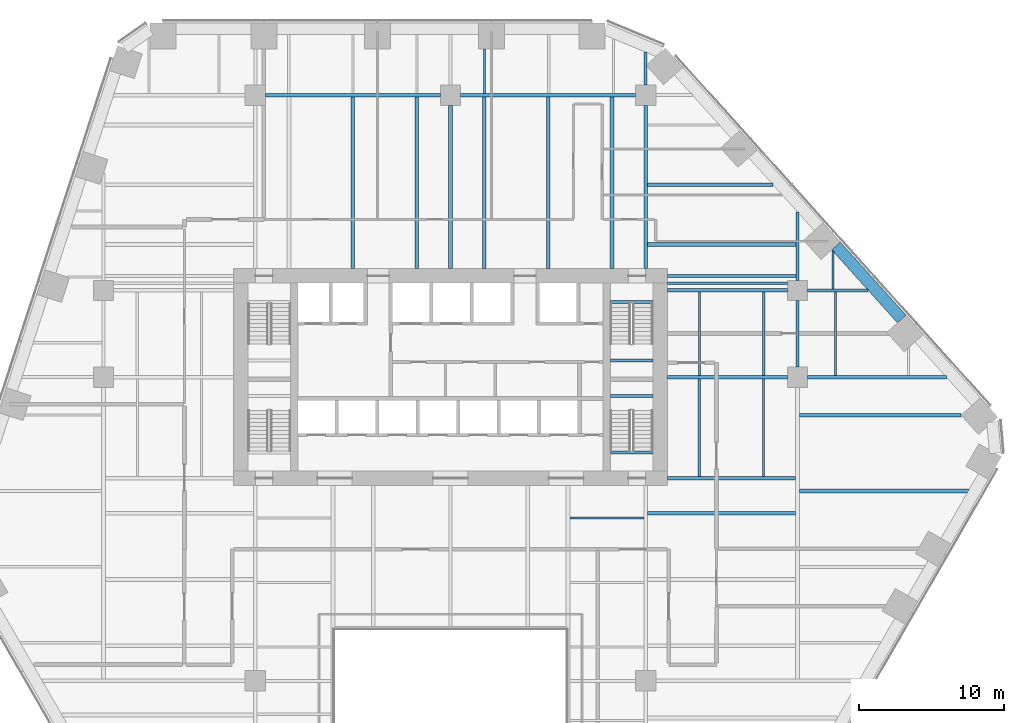
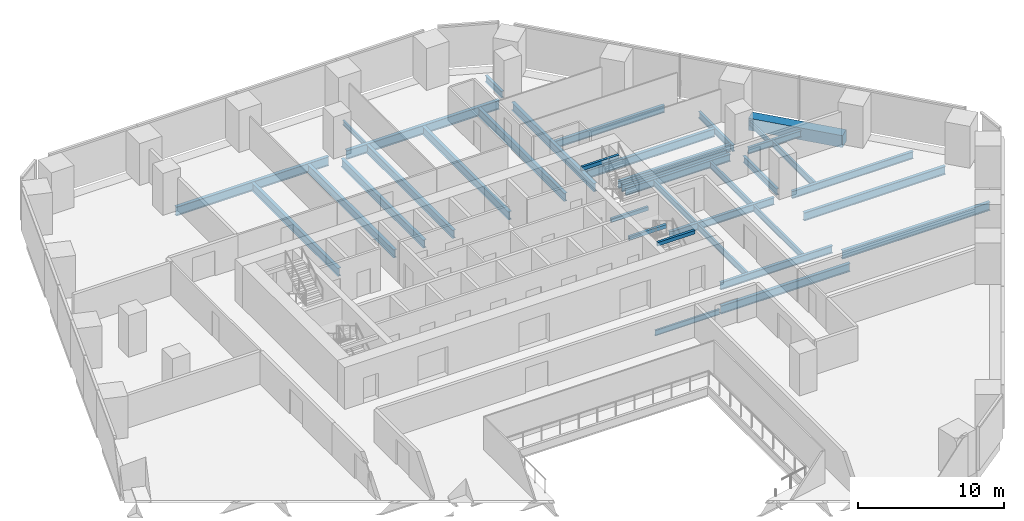
# One storey, part 9 of 20: 37 beams.
"""IFC4 building model written with IfcOpenShell, lengths in metres."""

from ifc_helpers import new_model, si_unit, direction, frame, origin, origin_2d, place, context, subcontext, project, spatial, rectangle, i_section, extrude, material, material_profile, profile_set, type_object, element, save


model = new_model("IFC4")

# Units and contexts
model_context = context("Model", 3, precision=1e-05, world=origin(), true_north=direction((0.0, 1.0)))
body_context = subcontext(model_context, "Body", "Model", "MODEL_VIEW")
ifc_project = project(units=[si_unit("LENGTHUNIT", "METRE"), si_unit("AREAUNIT", "SQUARE_METRE"), si_unit("VOLUMEUNIT", "CUBIC_METRE"), si_unit("PLANEANGLEUNIT", "RADIAN"), si_unit("MASSUNIT", "GRAM", prefix="KILO")], contexts=[model_context])

# Site, building, storey
site_placement = place(None, origin())
site = spatial("IfcSite", under=ifc_project, at=site_placement, CompositionType="ELEMENT")
building_placement = place(site_placement, origin())
building = spatial("IfcBuilding", under=site, at=building_placement, Name="Isthmus Gate Tower", CompositionType="ELEMENT")
storey_placement = place(building_placement, frame((0.0, 0.0, 43.300048828125)))
storey = spatial("IfcBuildingStorey", under=building, at=storey_placement, Name="L08", CompositionType="ELEMENT", Elevation=43.300048828125)

# Beams
ifc_material_1 = material(Name="Concrete f'c 70 MPa", Category="concrete")
ifc_material_profile_1 = material_profile(ifc_material_1, rectangle(XDim=0.800048828125, YDim=1.0, at=origin_2d()), Name="RC 800X1000")
ifc_profile_set_1 = profile_set([ifc_material_profile_1], Name="Concrete f'c 70 MPa")
beam_type_1 = type_object("IfcBeamType", Name="RC SPANDREL 800 X 1000", PredefinedType="SPANDREL", material=ifc_profile_set_1)
beam_1_placement = place(storey_placement, frame((26.664794921875, 16.566162109375, -0.5), z_axis=(0.669117690519, -0.743156454748, 0.0), x_axis=(0.743156454748, 0.669117690519, 0.0)))
element("IfcBeam", 1, at=beam_1_placement, inside=storey, type_object=beam_type_1, Name="str-spandrel-L08-03", PredefinedType="SPANDREL", context=body_context, shape_type="SweptSolid", body=[
    extrude(rectangle(XDim=0.800048828125, YDim=1.0, at=origin_2d()), origin(), (0.0, 0.0, 1.0), 6.78955078125),
])
ifc_material_2 = material(Name="Concrete f'c 40 MPa", Category="concrete")
ifc_material_profile_2 = material_profile(ifc_material_2, rectangle(XDim=0.199951171875, YDim=0.300048828125, at=origin_2d()), Name="STAIR LANDING BEAM RC 200 X 300")
ifc_profile_set_2 = profile_set([ifc_material_profile_2], Name="Concrete f'c 40 MPa")
beam_type_2 = type_object("IfcBeamType", Name="STAIR LANDING BEAM RC 200 X 300", PredefinedType="BEAM", material=ifc_profile_set_2)
for number, where, z_axis, x_axis, name in (
    (2, (11.050048828125, 8.64990234375, 1.474853515625), (1.0, 0.0, 0.0), (0.0, 1.0, 0.0), "L08 ST2 landing beam 1"),
    (3, (11.050048828125, 12.7001953125, 3.349853515625), (1.0, 0.0, 0.0), (0.0, 1.0, 0.0), "L08 ST2 floor-edge seat beam"),
    (4, (11.050048828125, 6.199951171875, 1.474853515625), (1.0, 0.0, 0.0), (0.0, 1.0, 0.0), "L08 ST8 landing beam 1"),
    (5, (11.050048828125, 2.2998046875, 3.349853515625), (1.0, 0.0, 0.0), (0.0, 1.0, 0.0), "L08 ST8 floor-edge seat beam"),
):
    element("IfcBeam", number, at=place(storey_placement, frame(where, z_axis=z_axis, x_axis=x_axis)), inside=storey, type_object=beam_type_2, Name=name, PredefinedType="BEAM", context=body_context, shape_type="SweptSolid", body=[
        extrude(rectangle(XDim=0.199951171875, YDim=0.300048828125, at=origin_2d()), origin(), (0.0, 0.0, 1.0), 2.949951171875),
    ])
ifc_material_3 = material(Name="Structural steel ASTM A992 Gr 50", Category="steel")
ifc_material_profile_3 = material_profile(ifc_material_3, i_section(OverallWidth=0.1396484375, OverallDepth=0.4033203125, WebThickness=0.00634765625, FlangeThickness=0.010986328125, at=origin_2d()), Name="W16X31")
ifc_profile_set_3 = profile_set([ifc_material_profile_3], Name="Structural steel ASTM A992 Gr 50")
beam_type_3 = type_object("IfcBeamType", Name="STEEL FLOOR BEAM W16X31", PredefinedType="JOIST", material=ifc_profile_set_3)
beam_2_placement = place(storey_placement, frame((2.33740234375, 27.1318359375, -0.3515625), z_axis=(0.0, 1.0, 0.0), x_axis=(-1.0, 0.0, 0.0)))
element("IfcBeam", 6, at=beam_2_placement, inside=storey, type_object=beam_type_3, Name="str-beam-L08-19-00", PredefinedType="JOIST", context=body_context, shape_type="SweptSolid", body=[
    extrude(i_section(OverallWidth=0.1396484375, OverallDepth=0.4033203125, WebThickness=0.00634765625, FlangeThickness=0.010986328125, at=origin_2d()), origin(), (0.0, 0.0, 1.0), 3.068115234375),
])
beam_3_placement = place(storey_placement, frame((26.448974609375, 13.604736328125, -0.3515625), z_axis=(0.0, 1.0, 0.0), x_axis=(-1.0, 0.0, 0.0)))
element("IfcBeam", 7, at=beam_3_placement, inside=storey, type_object=beam_type_3, Name="str-beam-L08-32-00", PredefinedType="JOIST", context=body_context, shape_type="SweptSolid", body=[
    extrude(i_section(OverallWidth=0.1396484375, OverallDepth=0.4033203125, WebThickness=0.00634765625, FlangeThickness=0.010986328125, at=origin_2d()), origin(), (0.0, 0.0, 1.0), 2.603515625),
])
ifc_material_4 = material(Name="Structural steel ASTM A992 Gr 50", Category="steel")
ifc_material_profile_4 = material_profile(ifc_material_4, i_section(OverallWidth=0.15234375, OverallDepth=0.45068359375, WebThickness=0.0078125, FlangeThickness=0.010986328125, at=origin_2d()), Name="W18X35")
ifc_profile_set_4 = profile_set([ifc_material_profile_4], Name="Structural steel ASTM A992 Gr 50")
beam_type_4 = type_object("IfcBeamType", Name="STEEL FLOOR BEAM W18X35", PredefinedType="JOIST", material=ifc_profile_set_4)
beam_4_placement = place(storey_placement, frame((8.263427734375, -2.232421875, -0.37548828125), z_axis=(1.0, 0.0, 0.0), x_axis=(0.0, 1.0, 0.0)))
element("IfcBeam", 8, at=beam_4_placement, inside=storey, type_object=beam_type_4, Name="str-beam-L08-23-02", PredefinedType="JOIST", context=body_context, shape_type="SweptSolid", body=[
    extrude(i_section(OverallWidth=0.15234375, OverallDepth=0.45068359375, WebThickness=0.0078125, FlangeThickness=0.010986328125, at=origin_2d()), origin(), (0.0, 0.0, 1.0), 5.104736328125),
])
ifc_material_5 = material(Name="Structural steel ASTM A992 Gr 50", Category="steel")
ifc_material_profile_5 = material_profile(ifc_material_5, i_section(OverallWidth=0.1650390625, OverallDepth=0.52392578125, WebThickness=0.009521484375, FlangeThickness=0.010986328125, at=origin_2d()), Name="W21X44")
ifc_profile_set_5 = profile_set([ifc_material_profile_5], Name="Structural steel ASTM A992 Gr 50")
beam_type_5 = type_object("IfcBeamType", Name="STEEL FLOOR BEAM W21X44", PredefinedType="JOIST", material=ifc_profile_set_5)
for number, where, z_axis, x_axis, name in (
    (9, (17.223876953125, 7.6142578125, -0.412109375), (0.0, 1.0, 0.0), (-1.0, 0.0, 0.0), "str-beam-L08-30-00"),
    (10, (21.67138671875, 7.6142578125, -0.412109375), (0.0, 1.0, 0.0), (-1.0, 0.0, 0.0), "str-beam-L08-30-01"),
):
    element("IfcBeam", number, at=place(storey_placement, frame(where, z_axis=z_axis, x_axis=x_axis)), inside=storey, type_object=beam_type_5, Name=name, PredefinedType="JOIST", context=body_context, shape_type="SweptSolid", body=[
        extrude(i_section(OverallWidth=0.1650390625, OverallDepth=0.52392578125, WebThickness=0.009521484375, FlangeThickness=0.010986328125, at=origin_2d()), origin(), (0.0, 0.0, 1.0), 5.771484375),
    ])
for number, where, z_axis, x_axis, name in (
    (11, (17.216552734375, 0.6142578125, -0.412109375), (0.0, 1.0, 0.0), (-1.0, 0.0, 0.0), "str-beam-L08-31-00"),
    (12, (21.64990234375, 0.6142578125, -0.412109375), (0.0, 1.0, 0.0), (-1.0, 0.0, 0.0), "str-beam-L08-31-01"),
):
    element("IfcBeam", number, at=place(storey_placement, frame(where, z_axis=z_axis, x_axis=x_axis)), inside=storey, type_object=beam_type_5, Name=name, PredefinedType="JOIST", context=body_context, shape_type="SweptSolid", body=[
        extrude(i_section(OverallWidth=0.1650390625, OverallDepth=0.52392578125, WebThickness=0.009521484375, FlangeThickness=0.010986328125, at=origin_2d()), origin(), (0.0, 0.0, 1.0), 6.771484375),
    ])
beam_5_placement = place(storey_placement, frame((26.625244140625, 7.6142578125, -0.412109375), z_axis=(0.0, 1.0, 0.0), x_axis=(-1.0, 0.0, 0.0)))
element("IfcBeam", 13, at=beam_5_placement, inside=storey, type_object=beam_type_5, Name="str-beam-L08-33-00", PredefinedType="JOIST", context=body_context, shape_type="SweptSolid", body=[
    extrude(i_section(OverallWidth=0.1650390625, OverallDepth=0.52392578125, WebThickness=0.009521484375, FlangeThickness=0.010986328125, at=origin_2d()), origin(), (0.0, 0.0, 1.0), 5.781005859375),
])
ifc_material_6 = material(Name="Structural steel ASTM A992 Gr 50", Category="steel")
ifc_material_profile_6 = material_profile(ifc_material_6, i_section(OverallWidth=0.177734375, OverallDepth=0.60009765625, WebThickness=0.009521484375, FlangeThickness=0.0126953125, at=origin_2d()), Name="W24X55")
ifc_profile_set_6 = profile_set([ifc_material_profile_6], Name="Structural steel ASTM A992 Gr 50")
beam_type_6 = type_object("IfcBeamType", Name="STEEL FLOOR BEAM W24X55", PredefinedType="JOIST", material=ifc_profile_set_6)
beam_6_placement = place(storey_placement, frame((15.0, 14.0, -0.4501953125), z_axis=(1.0, 0.0, 0.0), x_axis=(0.0, 1.0, 0.0)))
element("IfcBeam", 14, at=beam_6_placement, inside=storey, type_object=beam_type_6, Name="str-beam-L08-29-00", PredefinedType="JOIST", context=body_context, shape_type="SweptSolid", body=[
    extrude(i_section(OverallWidth=0.177734375, OverallDepth=0.60009765625, WebThickness=0.009521484375, FlangeThickness=0.0126953125, at=origin_2d()), origin(), (0.0, 0.0, 1.0), 8.300048828125),
])
ifc_material_7 = material(Name="Structural steel ASTM A992 Gr 50", Category="steel")
ifc_material_profile_7 = material_profile(ifc_material_7, i_section(OverallWidth=0.228515625, OverallDepth=0.603271484375, WebThickness=0.010986328125, FlangeThickness=0.014404296875, at=origin_2d()), Name="W24X68")
ifc_profile_set_7 = profile_set([ifc_material_profile_7], Name="Structural steel ASTM A992 Gr 50")
beam_type_7 = type_object("IfcBeamType", Name="STEEL FLOOR BEAM W24X68", PredefinedType="JOIST", material=ifc_profile_set_7)
beam_7_placement = place(storey_placement, frame((13.626953125, 20.80712890625, -0.45166015625), z_axis=(1.0, 0.0, 0.0), x_axis=(0.0, 1.0, 0.0)))
element("IfcBeam", 15, at=beam_7_placement, inside=storey, type_object=beam_type_7, Name="str-beam-L08-26-01", PredefinedType="JOIST", context=body_context, shape_type="SweptSolid", body=[
    extrude(i_section(OverallWidth=0.228515625, OverallDepth=0.603271484375, WebThickness=0.010986328125, FlangeThickness=0.014404296875, at=origin_2d()), origin(), (0.0, 0.0, 1.0), 8.680908203125),
])
ifc_material_8 = material(Name="Structural steel ASTM A992 Gr 50", Category="steel")
ifc_material_profile_8 = material_profile(ifc_material_8, i_section(OverallWidth=0.25390625, OverallDepth=0.679443359375, WebThickness=0.010986328125, FlangeThickness=0.015869140625, at=origin_2d()), Name="W27X84")
ifc_profile_set_8 = profile_set([ifc_material_profile_8], Name="Structural steel ASTM A992 Gr 50")
beam_type_8 = type_object("IfcBeamType", Name="STEEL FLOOR BEAM W27X84", PredefinedType="JOIST", material=ifc_profile_set_8)
for number, where, z_axis, x_axis, name in (
    (16, (-6.75, 15.0, -0.48974609375), (0.0, 1.0, 0.0), (-1.0, 0.0, 0.0), "str-beam-L08-13-01"),
    (17, (-2.334716796875, 15.0, -0.48974609375), (0.0, 1.0, 0.0), (-1.0, 0.0, 0.0), "str-beam-L08-13-02"),
    (18, (2.334716796875, 15.0, -0.48974609375), (0.0, 1.0, 0.0), (-1.0, 0.0, 0.0), "str-beam-L08-20-00"),
    (19, (6.75, 15.0, -0.48974609375), (0.0, 1.0, 0.0), (-1.0, 0.0, 0.0), "str-beam-L08-20-01"),
    (20, (11.165283203125, 15.0, -0.48974609375), (0.0, 1.0, 0.0), (-1.0, 0.0, 0.0), "str-beam-L08-20-02"),
):
    element("IfcBeam", number, at=place(storey_placement, frame(where, z_axis=z_axis, x_axis=x_axis)), inside=storey, type_object=beam_type_8, Name=name, PredefinedType="JOIST", context=body_context, shape_type="SweptSolid", body=[
        extrude(i_section(OverallWidth=0.25390625, OverallDepth=0.679443359375, WebThickness=0.010986328125, FlangeThickness=0.015869140625, at=origin_2d()), origin(), (0.0, 0.0, 1.0), 11.8681640625),
    ])
beam_8_placement = place(storey_placement, frame((13.626953125, 16.678466796875, -0.48974609375), z_axis=(1.0, 0.0, 0.0), x_axis=(0.0, 1.0, 0.0)))
element("IfcBeam", 21, at=beam_8_placement, inside=storey, type_object=beam_type_8, Name="str-beam-L08-26-00", PredefinedType="JOIST", context=body_context, shape_type="SweptSolid", body=[
    extrude(i_section(OverallWidth=0.25390625, OverallDepth=0.679443359375, WebThickness=0.010986328125, FlangeThickness=0.015869140625, at=origin_2d()), origin(), (0.0, 0.0, 1.0), 10.268310546875),
])
beam_9_placement = place(storey_placement, frame((13.6318359375, -1.90625, -0.48974609375), z_axis=(1.0, 0.0, 0.0), x_axis=(0.0, 1.0, 0.0)))
element("IfcBeam", 22, at=beam_9_placement, inside=storey, type_object=beam_type_8, Name="str-beam-L08-27-02", PredefinedType="JOIST", context=body_context, shape_type="SweptSolid", body=[
    extrude(i_section(OverallWidth=0.25390625, OverallDepth=0.679443359375, WebThickness=0.010986328125, FlangeThickness=0.015869140625, at=origin_2d()), origin(), (0.0, 0.0, 1.0), 10.23486328125),
])
beam_10_placement = place(storey_placement, frame((24.13330078125, -0.375, -0.48974609375), z_axis=(1.0, 0.0, 0.0), x_axis=(0.0, 1.0, 0.0)))
element("IfcBeam", 23, at=beam_10_placement, inside=storey, type_object=beam_type_8, Name="str-beam-L08-34-02", PredefinedType="JOIST", context=body_context, shape_type="SweptSolid", body=[
    extrude(i_section(OverallWidth=0.25390625, OverallDepth=0.679443359375, WebThickness=0.010986328125, FlangeThickness=0.015869140625, at=origin_2d()), origin(), (0.0, 0.0, 1.0), 11.6767578125),
])
beam_11_placement = place(storey_placement, frame((24.13330078125, 4.875, -0.48974609375), z_axis=(1.0, 0.0, 0.0), x_axis=(0.0, 1.0, 0.0)))
element("IfcBeam", 24, at=beam_11_placement, inside=storey, type_object=beam_type_8, Name="str-beam-L08-34-03", PredefinedType="JOIST", context=body_context, shape_type="SweptSolid", body=[
    extrude(i_section(OverallWidth=0.25390625, OverallDepth=0.679443359375, WebThickness=0.010986328125, FlangeThickness=0.015869140625, at=origin_2d()), origin(), (0.0, 0.0, 1.0), 11.185302734375),
])
ifc_material_9 = material(Name="Structural steel ASTM A992 Gr 50", Category="steel")
ifc_material_profile_9 = material_profile(ifc_material_9, i_section(OverallWidth=0.20947265625, OverallDepth=0.533447265625, WebThickness=0.009521484375, FlangeThickness=0.015869140625, at=origin_2d()), Name="W21X62")
ifc_profile_set_9 = profile_set([ifc_material_profile_9], Name="Structural steel ASTM A992 Gr 50")
beam_type_9 = type_object("IfcBeamType", Name="STEEL GIRDER W21X62", PredefinedType="BEAM", material=ifc_profile_set_9)
beam_12_placement = place(storey_placement, frame((24.699951171875, 13.5, -0.416748046875), z_axis=(1.0, 0.0, 0.0), x_axis=(0.0, 1.0, 0.0)))
element("IfcBeam", 25, at=beam_12_placement, inside=storey, type_object=beam_type_9, Name="str-girder-L08-15", PredefinedType="BEAM", context=body_context, shape_type="SweptSolid", body=[
    extrude(i_section(OverallWidth=0.20947265625, OverallDepth=0.533447265625, WebThickness=0.009521484375, FlangeThickness=0.015869140625, at=origin_2d()), origin(), (0.0, 0.0, 1.0), 4.187255859375),
])
beam_13_placement = place(storey_placement, frame((13.5, 27.699951171875, -0.416748046875), z_axis=(0.0, 1.0, 0.0), x_axis=(-1.0, 0.0, 0.0)))
element("IfcBeam", 26, at=beam_13_placement, inside=storey, type_object=beam_type_9, Name="str-girder-L08-34", PredefinedType="BEAM", context=body_context, shape_type="SweptSolid", body=[
    extrude(i_section(OverallWidth=0.20947265625, OverallDepth=0.533447265625, WebThickness=0.009521484375, FlangeThickness=0.015869140625, at=origin_2d()), origin(), (0.0, 0.0, 1.0), 2.27001953125),
])
beam_14_placement = place(storey_placement, frame((24.0, 8.199951171875, -0.416748046875), z_axis=(0.0, 1.0, 0.0), x_axis=(-1.0, 0.0, 0.0)))
element("IfcBeam", 27, at=beam_14_placement, inside=storey, type_object=beam_type_9, Name="str-girder-L08-36", PredefinedType="BEAM", context=body_context, shape_type="SweptSolid", body=[
    extrude(i_section(OverallWidth=0.20947265625, OverallDepth=0.533447265625, WebThickness=0.009521484375, FlangeThickness=0.015869140625, at=origin_2d()), origin(), (0.0, 0.0, 1.0), 4.60009765625),
])
beam_15_placement = place(storey_placement, frame((24.0, 14.199951171875, -0.416748046875), z_axis=(0.0, 1.0, 0.0), x_axis=(-1.0, 0.0, 0.0)))
element("IfcBeam", 28, at=beam_15_placement, inside=storey, type_object=beam_type_9, Name="str-girder-L08-37", PredefinedType="BEAM", context=body_context, shape_type="SweptSolid", body=[
    extrude(i_section(OverallWidth=0.20947265625, OverallDepth=0.533447265625, WebThickness=0.009521484375, FlangeThickness=0.015869140625, at=origin_2d()), origin(), (0.0, 0.0, 1.0), 4.72802734375),
])
ifc_material_10 = material(Name="Structural steel ASTM A992 Gr 50", Category="steel")
ifc_material_profile_10 = material_profile(ifc_material_10, i_section(OverallWidth=0.228515625, OverallDepth=0.6064453125, WebThickness=0.010986328125, FlangeThickness=0.017578125, at=origin_2d()), Name="W24X76")
ifc_profile_set_10 = profile_set([ifc_material_profile_10], Name="Structural steel ASTM A992 Gr 50")
beam_type_10 = type_object("IfcBeamType", Name="STEEL GIRDER W24X76", PredefinedType="BEAM", material=ifc_profile_set_10)
beam_16_placement = place(storey_placement, frame((15.0, 7.5, -0.453369140625), z_axis=(1.0, 0.0, 0.0), x_axis=(0.0, 1.0, 0.0)))
element("IfcBeam", 29, at=beam_16_placement, inside=storey, type_object=beam_type_10, Name="str-girder-L08-11", PredefinedType="BEAM", context=body_context, shape_type="SweptSolid", body=[
    extrude(i_section(OverallWidth=0.228515625, OverallDepth=0.6064453125, WebThickness=0.010986328125, FlangeThickness=0.017578125, at=origin_2d()), origin(), (0.0, 0.0, 1.0), 8.300048828125),
])
beam_17_placement = place(storey_placement, frame((24.699951171875, 7.5, -0.453369140625), z_axis=(1.0, 0.0, 0.0), x_axis=(0.0, 1.0, 0.0)))
element("IfcBeam", 30, at=beam_17_placement, inside=storey, type_object=beam_type_10, Name="str-girder-L08-12", PredefinedType="BEAM", context=body_context, shape_type="SweptSolid", body=[
    extrude(i_section(OverallWidth=0.228515625, OverallDepth=0.6064453125, WebThickness=0.010986328125, FlangeThickness=0.017578125, at=origin_2d()), origin(), (0.0, 0.0, 1.0), 9.58984375),
])
beam_18_placement = place(storey_placement, frame((15.0, 13.5, -0.453369140625), z_axis=(1.0, 0.0, 0.0), x_axis=(0.0, 1.0, 0.0)))
element("IfcBeam", 31, at=beam_18_placement, inside=storey, type_object=beam_type_10, Name="str-girder-L08-14", PredefinedType="BEAM", context=body_context, shape_type="SweptSolid", body=[
    extrude(i_section(OverallWidth=0.228515625, OverallDepth=0.6064453125, WebThickness=0.010986328125, FlangeThickness=0.017578125, at=origin_2d()), origin(), (0.0, 0.0, 1.0), 8.300048828125),
])
beam_19_placement = place(storey_placement, frame((15.0, 0.5, -0.453369140625), z_axis=(1.0, 0.0, 0.0), x_axis=(0.0, 1.0, 0.0)))
element("IfcBeam", 32, at=beam_19_placement, inside=storey, type_object=beam_type_10, Name="str-girder-L08-39", PredefinedType="BEAM", context=body_context, shape_type="SweptSolid", body=[
    extrude(i_section(OverallWidth=0.228515625, OverallDepth=0.6064453125, WebThickness=0.010986328125, FlangeThickness=0.017578125, at=origin_2d()), origin(), (0.0, 0.0, 1.0), 8.86669921875),
])
beam_20_placement = place(storey_placement, frame((15.0, 14.5, -0.453369140625), z_axis=(1.0, 0.0, 0.0), x_axis=(0.0, 1.0, 0.0)))
element("IfcBeam", 33, at=beam_20_placement, inside=storey, type_object=beam_type_10, Name="str-girder-L08-41", PredefinedType="BEAM", context=body_context, shape_type="SweptSolid", body=[
    extrude(i_section(OverallWidth=0.228515625, OverallDepth=0.6064453125, WebThickness=0.010986328125, FlangeThickness=0.017578125, at=origin_2d()), origin(), (0.0, 0.0, 1.0), 8.895263671875),
])
ifc_material_11 = material(Name="Structural steel ASTM A992 Gr 50", Category="steel")
ifc_material_profile_11 = material_profile(ifc_material_11, i_section(OverallWidth=0.25390625, OverallDepth=0.679443359375, WebThickness=0.010986328125, FlangeThickness=0.015869140625, at=origin_2d()), Name="W27X84")
ifc_profile_set_11 = profile_set([ifc_material_profile_11], Name="Structural steel ASTM A992 Gr 50")
beam_type_11 = type_object("IfcBeamType", Name="STEEL GIRDER W27X84", PredefinedType="BEAM", material=ifc_profile_set_11)
for number, where, z_axis, x_axis, name in (
    (34, (0.0, 15.0, -0.48974609375), (0.0, 1.0, 0.0), (-1.0, 0.0, 0.0), "str-girder-L08-29"),
    (35, (13.5, 15.0, -0.48974609375), (0.0, 1.0, 0.0), (-1.0, 0.0, 0.0), "str-girder-L08-33"),
):
    element("IfcBeam", number, at=place(storey_placement, frame(where, z_axis=z_axis, x_axis=x_axis)), inside=storey, type_object=beam_type_11, Name=name, PredefinedType="BEAM", context=body_context, shape_type="SweptSolid", body=[
        extrude(i_section(OverallWidth=0.25390625, OverallDepth=0.679443359375, WebThickness=0.010986328125, FlangeThickness=0.015869140625, at=origin_2d()), origin(), (0.0, 0.0, 1.0), 11.300048828125),
    ])
ifc_material_12 = material(Name="Structural steel ASTM A992 Gr 50", Category="steel")
ifc_material_profile_12 = material_profile(ifc_material_12, i_section(OverallWidth=0.263427734375, OverallDepth=0.749267578125, WebThickness=0.0126953125, FlangeThickness=0.015869140625, at=origin_2d()), Name="W30X90")
ifc_profile_set_12 = profile_set([ifc_material_profile_12], Name="Structural steel ASTM A992 Gr 50")
beam_type_12 = type_object("IfcBeamType", Name="STEEL GIRDER W30X90", PredefinedType="BEAM", material=ifc_profile_set_12)
for number, where, z_axis, x_axis, name in (
    (36, (-12.800048828125, 27.0, -0.524658203125), (1.0, 0.0, 0.0), (0.0, 1.0, 0.0), "str-girder-L08-17"),
    (37, (0.699951171875, 27.0, -0.524658203125), (1.0, 0.0, 0.0), (0.0, 1.0, 0.0), "str-girder-L08-18"),
):
    element("IfcBeam", number, at=place(storey_placement, frame(where, z_axis=z_axis, x_axis=x_axis)), inside=storey, type_object=beam_type_12, Name=name, PredefinedType="BEAM", context=body_context, shape_type="SweptSolid", body=[
        extrude(i_section(OverallWidth=0.263427734375, OverallDepth=0.749267578125, WebThickness=0.0126953125, FlangeThickness=0.015869140625, at=origin_2d()), origin(), (0.0, 0.0, 1.0), 12.10009765625),
    ])

save(model, "model.ifc")
